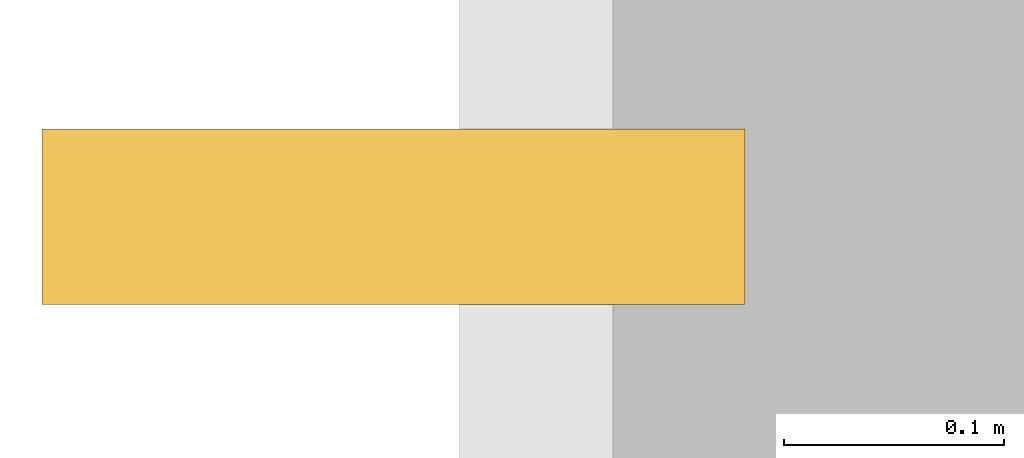
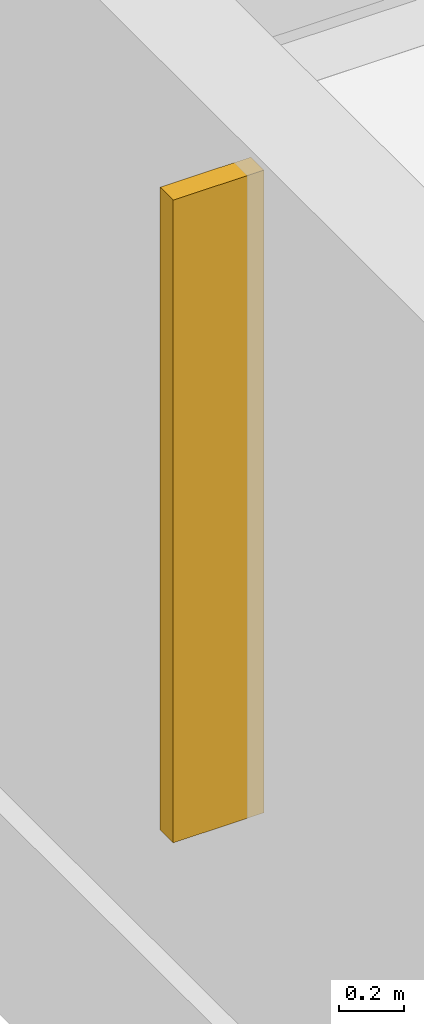
# One storey, part 97 of 99: 1 shading device.
"""IFC4 building model written with IfcOpenShell, lengths in metres."""

from ifc_helpers import new_model, si_unit, direction, frame, origin, origin_2d, place, context, subcontext, project, spatial, rectangle, extrude, material, type_object, element, save


model = new_model("IFC4")

# Units and contexts
model_context = context("Model", 3, precision=1e-05, world=origin(), true_north=direction((0.0, 1.0)))
body_context = subcontext(model_context, "Body", "Model", "MODEL_VIEW")
ifc_project = project(units=[si_unit("LENGTHUNIT", "METRE"), si_unit("AREAUNIT", "SQUARE_METRE"), si_unit("VOLUMEUNIT", "CUBIC_METRE"), si_unit("PLANEANGLEUNIT", "RADIAN"), si_unit("MASSUNIT", "GRAM", prefix="KILO")], contexts=[model_context])

# Site, building, storey
site_placement = place(None, origin())
site = spatial("IfcSite", under=ifc_project, at=site_placement, CompositionType="ELEMENT")
building_placement = place(site_placement, origin())
building = spatial("IfcBuilding", under=site, at=building_placement, Name="Kahlenmark Community Centre", CompositionType="ELEMENT")
storey_placement = place(building_placement, frame((0.0, 0.0, 5.39990234375)))
storey = spatial("IfcBuildingStorey", under=building, at=storey_placement, Name="L01", CompositionType="ELEMENT", Elevation=5.39990234375)

# Shading device
ifc_material = material(Name="Extruded warm terracotta solar fin", Category="masonry")
shading_device_type = type_object("IfcShadingDeviceType", Name="SDT-FIN-320", PredefinedType="NOTDEFINED", material=ifc_material)
shading_device_placement = place(storey_placement, frame((3.719970703125, 110.5, 0.800048828125), z_axis=(0.0, 0.0, 1.0), x_axis=(0.0, -1.0, 0.0)))
element("IfcShadingDevice", 1, at=shading_device_placement, inside=storey, type_object=shading_device_type, Name="Terracotta solar fin 0002", PredefinedType="NOTDEFINED", context=body_context, shape_type="SweptSolid", body=[
    extrude(rectangle(XDim=0.080078125, YDim=0.320068359375, at=origin_2d()), origin(), (0.0, 0.0, 1.0), 2.39990234375),
])

save(model, "model.ifc")
